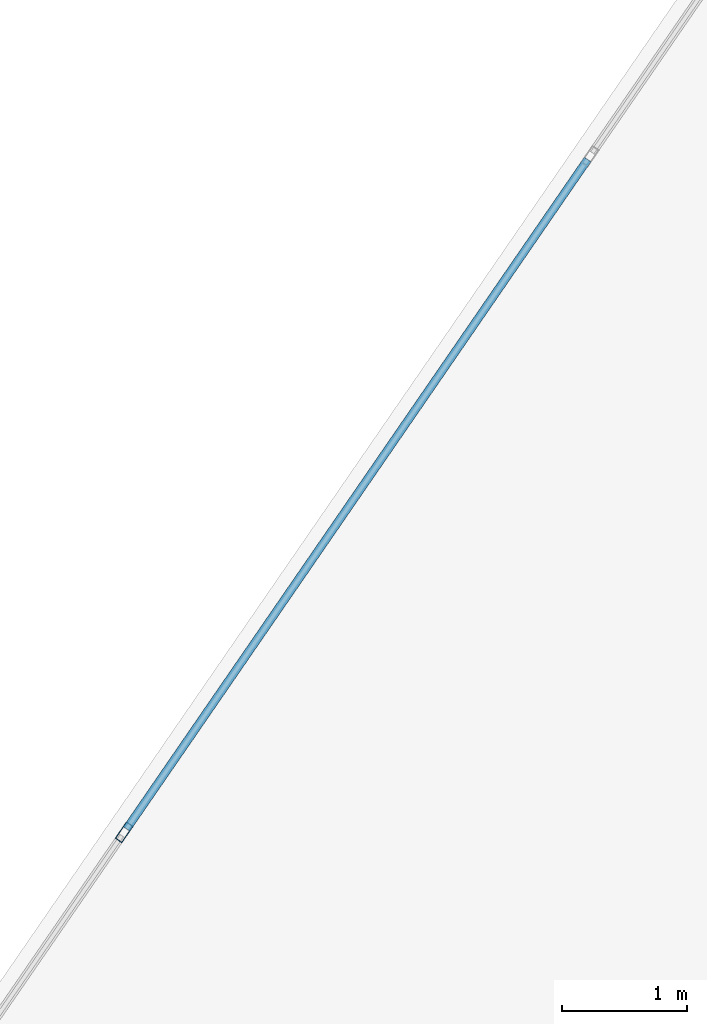
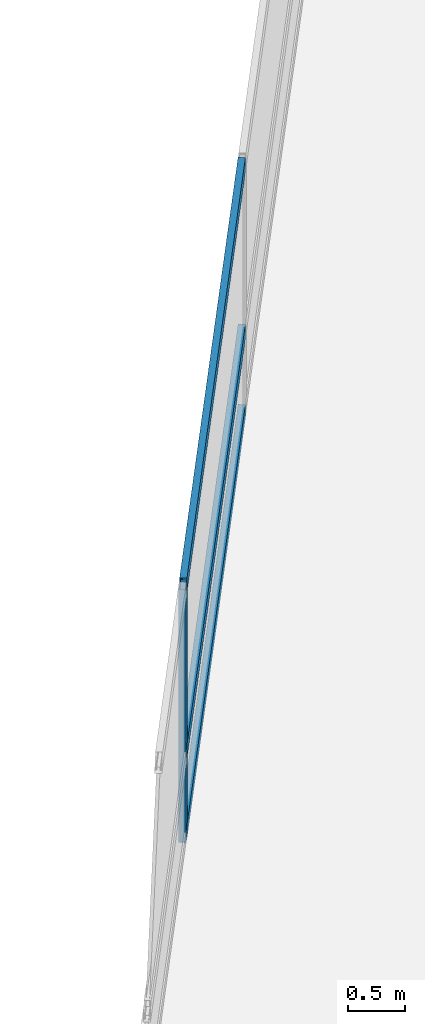
# One storey, part 13 of 25: 4 members, 1 element without a shape of its own.
"""IFC4 building model written with IfcOpenShell, lengths in metres."""

import ifcopenshell
import ifcopenshell.guid

model = None  # the IFC model being written
_history = None  # IfcOwnerHistory: only IFC2X3 demands one
_inside = {}  # id of a spatial element -> (the spatial element, [elements in it])
_under = {}  # id of a project, library or spatial element -> (it, [spatial elements below it])
_declared = {}  # id of a project -> (the project, [libraries it declares])
_typed = {}  # id of a type object -> (the type object, [elements of that type])
_made_of = {}  # id of a material, layer set ... -> (it, [elements and type objects made of it])


def new_model(schema):
    """Start an empty IFC model of exactly this schema.

    Asked for "IFC4X3", IfcOpenShell would pick the latest addendum, in which some entities
    have other attributes; the version numbers below select the first issue.
    IFC2X3 requires an IfcOwnerHistory on every rooted entity: one is made here for all.
    """
    global model, _history
    if schema == "IFC4X3":
        model = ifcopenshell.file(schema_version=(4, 3, 0, 0))
    else:
        model = ifcopenshell.file(schema=schema)
    _inside.clear()
    _under.clear()
    _declared.clear()
    _typed.clear()
    _made_of.clear()
    _history = None
    if model.schema == "IFC2X3":
        org = make("IfcOrganization", Name="unknown")
        user = make(
            "IfcPersonAndOrganization",
            ThePerson=make("IfcPerson", FamilyName="unknown"),
            TheOrganization=org,
        )
        app = make(
            "IfcApplication",
            ApplicationDeveloper=org,
            Version="unknown",
            ApplicationFullName="unknown",
            ApplicationIdentifier="unknown",
        )
        _history = make(
            "IfcOwnerHistory",
            OwningUser=user,
            OwningApplication=app,
            ChangeAction="ADDED",
            CreationDate=0,
        )
    return model


def make(cls, **values):
    """One entity of the class cls with the attributes given. An attribute that is None is left unset."""
    return model.create_entity(
        cls, **{name: value for name, value in values.items() if value is not None}
    )


def rooted(cls, **values):
    """An entity with a GlobalId (a new one), such as an element, a storey or a relation."""
    return make(cls, GlobalId=ifcopenshell.guid.new(), OwnerHistory=_history, **values)


def si_unit(unit_type, name, prefix=None):
    """IfcSIUnit, for example si_unit("LENGTHUNIT", "METRE", prefix="MILLI")."""
    return make("IfcSIUnit", UnitType=unit_type, Prefix=prefix, Name=name)


def assignment(units):
    """IfcUnitAssignment: the units of a project."""
    return None if units is None else make("IfcUnitAssignment", Units=units)


def point(xyz):
    """IfcCartesianPoint."""
    return None if xyz is None else make("IfcCartesianPoint", Coordinates=xyz)


def direction(xyz):
    """IfcDirection."""
    return None if xyz is None else make("IfcDirection", DirectionRatios=xyz)


def frame(location, z_axis=None, x_axis=None):
    """IfcAxis2Placement3D, a coordinate frame: its origin and axes. An axis left out is left unset."""
    return make(
        "IfcAxis2Placement3D",
        Location=point(location),
        Axis=direction(z_axis),
        RefDirection=direction(x_axis),
    )


def frame_2d(location, x_axis=None):
    """IfcAxis2Placement2D, a coordinate frame in the plane: its origin and x axis."""
    return make(
        "IfcAxis2Placement2D", Location=point(location), RefDirection=direction(x_axis)
    )


def origin():
    """The frame at (0, 0, 0) with its axes left unset."""
    return frame((0.0, 0.0, 0.0))


def origin_2d():
    """The frame at (0, 0) in the plane with its x axis left unset."""
    return frame_2d((0.0, 0.0))


def place(relative_to, where):
    """IfcLocalPlacement: puts the frame where relative to a parent placement (None: the world)."""
    return make(
        "IfcLocalPlacement", PlacementRelTo=relative_to, RelativePlacement=where
    )


def context(
    kind, dimensions, precision=None, world=None, true_north=None, identifier=None
):
    """IfcGeometricRepresentationContext, for example the 3D "Model" context."""
    return make(
        "IfcGeometricRepresentationContext",
        ContextIdentifier=identifier,
        ContextType=kind,
        CoordinateSpaceDimension=dimensions,
        Precision=precision,
        WorldCoordinateSystem=world,
        TrueNorth=true_north,
    )


def subcontext(parent, identifier, kind, view, scale=None):
    """IfcGeometricRepresentationSubContext, for example "Body" below "Model"."""
    return make(
        "IfcGeometricRepresentationSubContext",
        ContextIdentifier=identifier,
        ContextType=kind,
        ParentContext=parent,
        TargetScale=scale,
        TargetView=view,
    )


def project(units=None, contexts=None):
    """IfcProject with its units and contexts."""
    return rooted(
        "IfcProject",
        Name="project",
        RepresentationContexts=contexts,
        UnitsInContext=assignment(units),
    )


def spatial(cls, under=None, at=None, **own):
    """A site, building, storey or space (cls), placed at a placement, below another one or the project."""
    s = rooted(cls, ObjectPlacement=at, **own)
    if under is not None:
        _under.setdefault(under.id(), (under, []))[1].append(s)
    return s


def profile(cls, at=None, kind="AREA", **sizes):
    """A parametric profile (cls). Its sizes go by their IFC names, for example OverallWidth=200.0."""
    return make(cls, ProfileType=kind, Position=at, **sizes)


def hollow_rectangle(**sizes):
    """IfcRectangleHollowProfileDef."""
    return profile("IfcRectangleHollowProfileDef", **sizes)


def extrude(swept, where, along, depth):
    """IfcExtrudedAreaSolid: the profile swept, set in the frame where, extruded along a direction by depth."""
    return make(
        "IfcExtrudedAreaSolid",
        SweptArea=swept,
        Position=where,
        ExtrudedDirection=direction(along),
        Depth=depth,
    )


def shape(context_of_items, identifier, shape_type, items):
    """IfcShapeRepresentation: the items that make up one representation, for example the "Body"."""
    return make(
        "IfcShapeRepresentation",
        ContextOfItems=context_of_items,
        RepresentationIdentifier=identifier,
        RepresentationType=shape_type,
        Items=items,
    )


def material(Name=None, Category=None):
    """IfcMaterial."""
    return make("IfcMaterial", Name=Name, Category=Category)


def layer(
    of_material, thickness, ventilated=None, Name=None, Category=None, Priority=None
):
    """IfcMaterialLayer: one layer of a wall or slab, of a material (None: an air gap)."""
    return make(
        "IfcMaterialLayer",
        Material=of_material,
        LayerThickness=thickness,
        IsVentilated=ventilated,
        Name=Name,
        Category=Category,
        Priority=Priority,
    )


def layer_set(layers, Name=None):
    """IfcMaterialLayerSet."""
    return make("IfcMaterialLayerSet", MaterialLayers=layers, LayerSetName=Name)


def material_profile(
    of_material, cross_section, Name=None, Category=None, Priority=None
):
    """IfcMaterialProfile: a cross section and its material."""
    return make(
        "IfcMaterialProfile",
        Name=Name,
        Material=of_material,
        Profile=cross_section,
        Priority=Priority,
        Category=Category,
    )


def profile_set(profiles, Name=None, composite=None):
    """IfcMaterialProfileSet."""
    return make(
        "IfcMaterialProfileSet",
        Name=Name,
        MaterialProfiles=profiles,
        CompositeProfile=composite,
    )


def made_of(thing, what):
    """Note that an element or type object is made of a material, layer set ...; save() writes the relation."""
    if what is not None:
        _made_of.setdefault(what.id(), (what, []))[1].append(thing)
    return thing


def type_object(cls, material=None, **own):
    """A type object (cls), such as IfcWallType, which elements share."""
    return made_of(rooted(cls, **own), material)


def element(
    cls,
    number,
    at=None,
    inside=None,
    cuts=None,
    type_object=None,
    material=None,
    context=None,
    identifier="Body",
    shape_type=None,
    held_by="IfcProductDefinitionShape",
    body=None,
    shapes=None,
    **own,
):
    """One element of the class cls, such as IfcWall. Its Tag is "e" and its number.

    at: its placement. inside: the storey or other place that contains it. cuts: it is an
    opening in that element (IfcRelVoidsElement). A single representation is given by context,
    identifier, shape_type and body (its items); several are given by shapes. held_by: the class
    of the entity that holds the representations. save() writes the other relations.
    """
    e = rooted(cls, Tag="e%d" % number, ObjectPlacement=at, **own)
    if body is not None:
        shapes = [shape(context, identifier, shape_type, body)]
    if shapes is not None:
        e.Representation = make(held_by, Representations=shapes)
    if inside is not None:
        _inside.setdefault(inside.id(), (inside, []))[1].append(e)
    if cuts is not None:
        rooted(
            "IfcRelVoidsElement", RelatingBuildingElement=cuts, RelatedOpeningElement=e
        )
    if type_object is not None:
        _typed.setdefault(type_object.id(), (type_object, []))[1].append(e)
    return made_of(e, material)


def aggregate(whole, parts):
    """IfcRelAggregates: a whole, such as a stair, and the parts it consists of."""
    return rooted("IfcRelAggregates", RelatingObject=whole, RelatedObjects=parts)


def save(model, path):
    """Write the relations noted so far, then the file.

    IfcRelAggregates (storeys below a building ...), IfcRelContainedInSpatialStructure (elements
    in a storey), IfcRelDefinesByType, IfcRelAssociatesMaterial and IfcRelDeclares: one each for
    every whole, place, type object, material and project.
    """
    for whole, parts in _under.values():
        aggregate(whole, parts)
    for where, things in _inside.values():
        rooted(
            "IfcRelContainedInSpatialStructure",
            RelatedElements=things,
            RelatingStructure=where,
        )
    for kind, things in _typed.values():
        rooted("IfcRelDefinesByType", RelatedObjects=things, RelatingType=kind)
    for what, things in _made_of.values():
        rooted("IfcRelAssociatesMaterial", RelatedObjects=things, RelatingMaterial=what)
    for by, libraries in _declared.values():
        rooted("IfcRelDeclares", RelatingContext=by, RelatedDefinitions=libraries)
    model.write(path)


model = new_model("IFC4")

# Units and contexts
model_context = context("Model", 3, precision=1e-05, world=origin(), true_north=direction((0.0, 1.0)))
body_context = subcontext(model_context, "Body", "Model", "MODEL_VIEW")
ifc_project = project(units=[si_unit("LENGTHUNIT", "METRE"), si_unit("AREAUNIT", "SQUARE_METRE"), si_unit("VOLUMEUNIT", "CUBIC_METRE"), si_unit("PLANEANGLEUNIT", "RADIAN"), si_unit("MASSUNIT", "GRAM", prefix="KILO")], contexts=[model_context])

# Site, building, storey
site_placement = place(None, origin())
site = spatial("IfcSite", under=ifc_project, at=site_placement, CompositionType="ELEMENT")
building_placement = place(site_placement, origin())
building = spatial("IfcBuilding", under=site, at=building_placement, Name="Varnelok Gate Tower", CompositionType="ELEMENT")
storey_placement = place(building_placement, frame((0.0, 0.0, 52.89990234375)))
storey = spatial("IfcBuildingStorey", under=building, at=storey_placement, Name="L12", CompositionType="ELEMENT", Elevation=52.89990234375)

# Curtain wall, members
ifc_material = material(Name="Anodized Aluminum Alloy 6063-T6", Category="aluminium")
ifc_layer = layer(ifc_material, 0.179931640625)
ifc_layer_set = layer_set([ifc_layer], Name="Anodized Aluminum Alloy 6063-T6")
curtain_wall_type = type_object("IfcCurtainWallType", Name="CW3-HOTEL-VISION", PredefinedType="USERDEFINED", material=ifc_layer_set)
curtain_wall_placement = place(storey_placement, origin())
curtain_wall = element("IfcCurtainWall", 1, at=curtain_wall_placement, inside=storey, type_object=curtain_wall_type, Name="L12 West End Vision Curtain Wall", ObjectType="UNITISED CURTAIN WALL", PredefinedType="USERDEFINED")
ifc_material_profile_1 = material_profile(ifc_material, hollow_rectangle(XDim=0.06494140625, YDim=0.159912109375, WallThickness=0.00390625, at=origin_2d()), Name="ALU160X65X4")
ifc_profile_set_1 = profile_set([ifc_material_profile_1], Name="Anodized Aluminum Alloy 6063-T6")
member_type_1 = type_object("IfcMemberType", Name="CW-MULL-160", PredefinedType="MULLION", material=ifc_profile_set_1)
member_1_placement = place(storey_placement, frame((10.7578125, 52.865478515625, 0.0), z_axis=(0.0, 0.0, 1.0), x_axis=(-0.823532685111, 0.567268822124, 0.0)))
member_1 = element("IfcMember", 2, at=member_1_placement, type_object=member_type_1, Name="CW3 mullion 5", PredefinedType="MULLION", context=body_context, shape_type="SweptSolid", body=[
    extrude(hollow_rectangle(XDim=0.06494140625, YDim=0.159912109375, WallThickness=0.00390625, at=origin_2d()), origin(), (0.0, 0.0, 1.0), 2.72998046875),
])
ifc_material_profile_2 = material_profile(ifc_material, hollow_rectangle(XDim=0.06494140625, YDim=0.159912109375, WallThickness=0.00390625, at=origin_2d()), Name="ALU160X65X4")
ifc_profile_set_2 = profile_set([ifc_material_profile_2], Name="Anodized Aluminum Alloy 6063-T6")
member_type_2 = type_object("IfcMemberType", Name="CW-TRAN-160", PredefinedType="USERDEFINED", material=ifc_profile_set_2)
member_2_placement = place(storey_placement, frame((10.7763671875, 52.89208984375, 0.03271484375), z_axis=(0.567261662339, 0.823537616894, 0.0), x_axis=(-0.823537616894, 0.567261662339, 0.0)))
member_2 = element("IfcMember", 3, at=member_2_placement, type_object=member_type_2, Name="CW3 transom 5.1", ObjectType="TRANSOM", PredefinedType="USERDEFINED", context=body_context, shape_type="SweptSolid", body=[
    extrude(hollow_rectangle(XDim=0.06494140625, YDim=0.159912109375, WallThickness=0.00390625, at=origin_2d()), origin(), (0.0, 0.0, 1.0), 6.501708984375),
])
member_3_placement = place(storey_placement, frame((10.7763671875, 52.89208984375, 0.900146484375), z_axis=(0.567261662339, 0.823537616894, 0.0), x_axis=(-0.823537616894, 0.567261662339, 0.0)))
member_3 = element("IfcMember", 4, at=member_3_placement, type_object=member_type_2, Name="CW3 transom 5.2", ObjectType="TRANSOM", PredefinedType="USERDEFINED", context=body_context, shape_type="SweptSolid", body=[
    extrude(hollow_rectangle(XDim=0.06494140625, YDim=0.159912109375, WallThickness=0.00390625, at=origin_2d()), origin(), (0.0, 0.0, 1.0), 6.501708984375),
])
member_4_placement = place(storey_placement, frame((10.7763671875, 52.89208984375, 2.697509765625), z_axis=(0.567261662339, 0.823537616894, 0.0), x_axis=(-0.823537616894, 0.567261662339, 0.0)))
member_4 = element("IfcMember", 5, at=member_4_placement, type_object=member_type_2, Name="CW3 transom 5.3", ObjectType="TRANSOM", PredefinedType="USERDEFINED", context=body_context, shape_type="SweptSolid", body=[
    extrude(hollow_rectangle(XDim=0.06494140625, YDim=0.159912109375, WallThickness=0.00390625, at=origin_2d()), origin(), (0.0, 0.0, 1.0), 6.501708984375),
])
aggregate(curtain_wall, [member_1, member_2, member_3, member_4])

save(model, "model.ifc")
